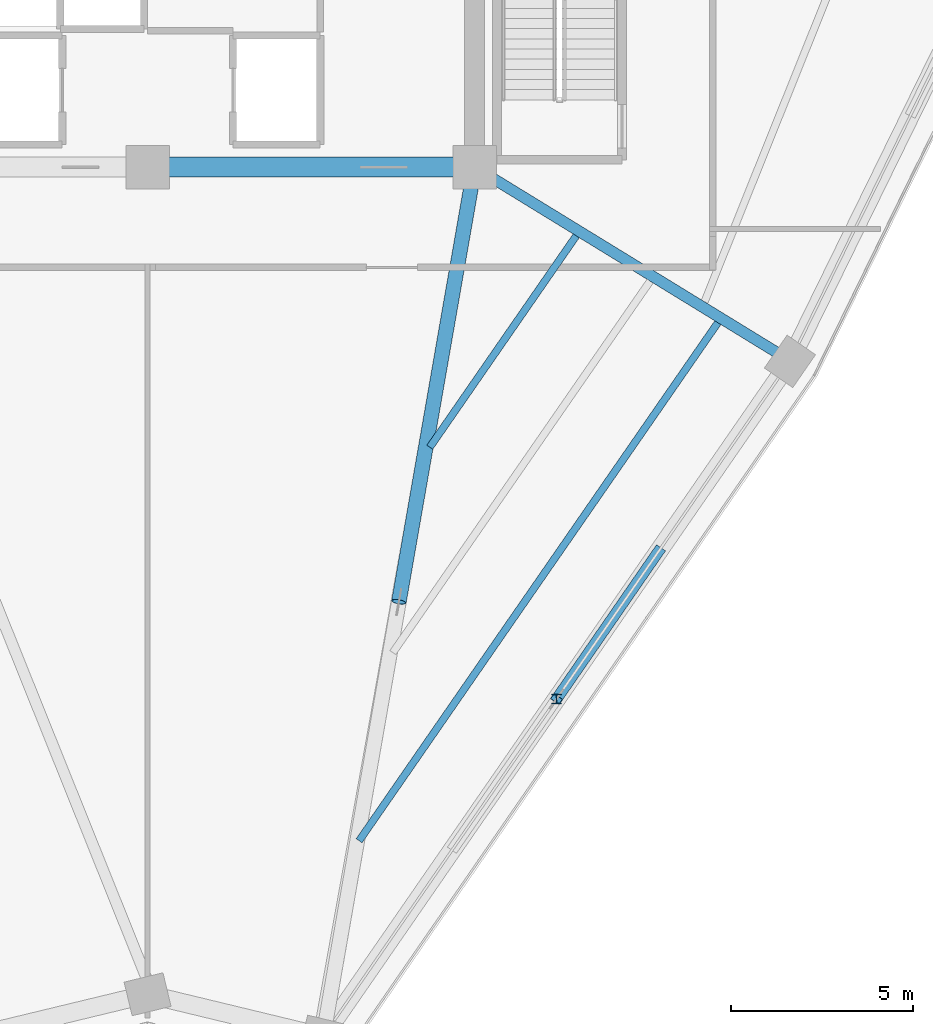
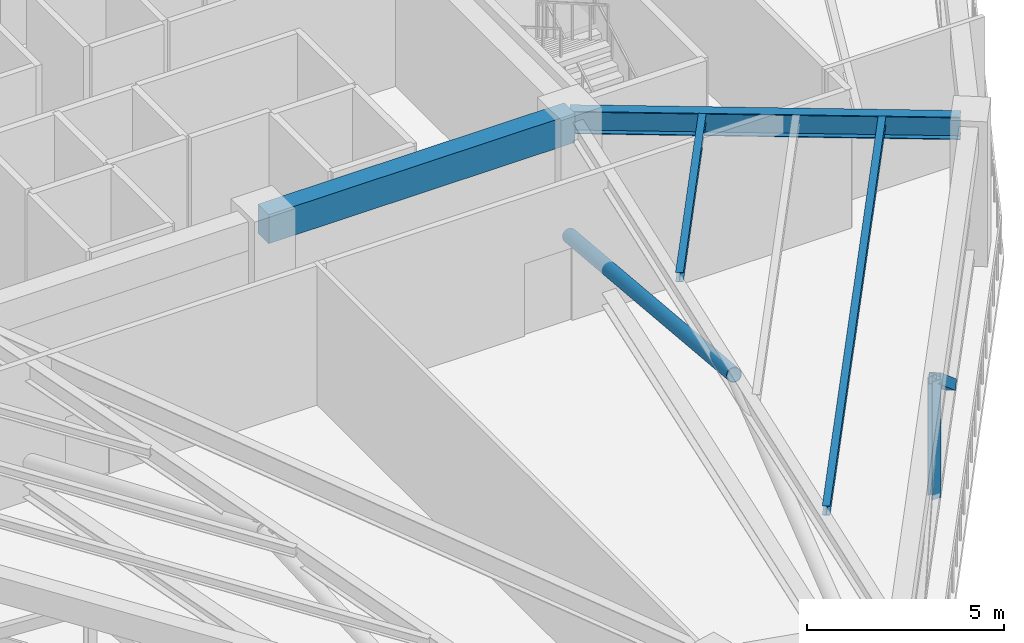
# One storey, part 4 of 22: 4 beams, 3 members.
"""IFC4 building model written with IfcOpenShell, lengths in metres."""

from ifc_helpers import new_model, si_unit, direction, frame, origin, origin_2d, place, context, subcontext, project, spatial, rectangle, hollow_rectangle, hollow_circle, i_section, extrude, source, transform, mapped, material, material_profile, profile_set, type_object, element, save


model = new_model("IFC4")

# Units and contexts
model_context = context("Model", 3, precision=1e-05, world=origin(), true_north=direction((0.0, 1.0)))
body_context = subcontext(model_context, "Body", "Model", "MODEL_VIEW")
ifc_project = project(units=[si_unit("LENGTHUNIT", "METRE"), si_unit("AREAUNIT", "SQUARE_METRE"), si_unit("VOLUMEUNIT", "CUBIC_METRE"), si_unit("PLANEANGLEUNIT", "RADIAN"), si_unit("MASSUNIT", "GRAM", prefix="KILO")], contexts=[model_context])

# Site, building, storey
site_placement = place(None, origin())
site = spatial("IfcSite", under=ifc_project, at=site_placement, CompositionType="ELEMENT")
building_placement = place(site_placement, origin())
building = spatial("IfcBuilding", under=site, at=building_placement, Name="Liaohun Quay Tower", CompositionType="ELEMENT")
storey_placement = place(building_placement, frame((0.0, 0.0, 324.0)))
storey = spatial("IfcBuildingStorey", under=building, at=storey_placement, Name="L84", CompositionType="ELEMENT", Elevation=324.0)

# Member
ifc_material_1 = material(Name="Steel Q355D", Category="steel")
ifc_material_profile_1 = material_profile(ifc_material_1, i_section(OverallWidth=0.25, OverallDepth=0.25, WebThickness=0.009033203125, FlangeThickness=0.013916015625, at=origin_2d()), Name="HW250x250x9x14")
ifc_profile_set_1 = profile_set([ifc_material_profile_1], Name="Steel Q355D")
member_type_1 = type_object("IfcMemberType", Name="MEM-BLT-PST", PredefinedType="POST", material=ifc_profile_set_1)
shared_shape_1 = source(origin(), body_context, "Body", "SweptSolid", [
    extrude(i_section(OverallWidth=0.25, OverallDepth=0.25, WebThickness=0.009033203125, FlangeThickness=0.013916015625, at=origin_2d()), origin(), (0.0, 0.0, 1.0), 3.669921875),
])
member_1_placement = place(storey_placement, frame((71.256103515625, 31.861083984375, 0.35009765625), z_axis=(0.0, 0.0, 1.0), x_axis=(1.0, 0.0, 0.0)))
element("IfcMember", 1, at=member_1_placement, inside=storey, type_object=member_type_1, Name="L84 Belt Truss Vertical Post BP-1-06", PredefinedType="POST", context=body_context, shape_type="MappedRepresentation", body=[
    mapped(shared_shape_1, transform((0.0, 0.0, 0.0), x_axis=(1.0, 0.0, 0.0), y_axis=(0.0, 1.0, 0.0), z_axis=(0.0, 0.0, 1.0), scale=1.0)),
])

# Beams
ifc_material_2 = material(Name="Concrete C55", Category="concrete")
ifc_material_profile_2 = material_profile(ifc_material_2, rectangle(XDim=0.550048828125, YDim=0.89990234375, at=origin_2d()), Name="RC550x900")
ifc_profile_set_2 = profile_set([ifc_material_profile_2], Name="Concrete C55")
beam_type_1 = type_object("IfcBeamType", Name="BM-CPL-2", PredefinedType="LINTEL", material=ifc_profile_set_2)
shared_shape_2 = source(origin(), body_context, "Body", "SweptSolid", [
    extrude(rectangle(XDim=0.550048828125, YDim=0.89990234375, at=origin_2d()), origin(), (0.0, 0.0, 1.0), 9.0),
])
beam_1_placement = place(storey_placement, frame((60.0, 46.5, 3.8701171875), z_axis=(1.0, 0.0, 0.0), x_axis=(0.0, 1.0, 0.0)))
element("IfcBeam", 2, at=beam_1_placement, inside=storey, type_object=beam_type_1, Name="L84 Core Coupling/Ring Beam CC2-CC3", PredefinedType="LINTEL", context=body_context, shape_type="MappedRepresentation", body=[
    mapped(shared_shape_2, transform((0.0, 0.0, 0.0), x_axis=(1.0, 0.0, 0.0), y_axis=(0.0, 1.0, 0.0), z_axis=(0.0, 0.0, 1.0), scale=1.0)),
])
ifc_material_profile_3 = material_profile(ifc_material_1, i_section(OverallWidth=0.300048828125, OverallDepth=0.699951171875, WebThickness=0.012939453125, FlangeThickness=0.02392578125, at=origin_2d()), Name="HN700x300x13x24")
ifc_profile_set_3 = profile_set([ifc_material_profile_3], Name="Steel Q355D")
beam_type_2 = type_object("IfcBeamType", Name="BM-RAD-U1", PredefinedType="BEAM", material=ifc_profile_set_3)
shared_shape_3 = source(origin(), body_context, "Body", "SweptSolid", [
    extrude(i_section(OverallWidth=0.300048828125, OverallDepth=0.699951171875, WebThickness=0.012939453125, FlangeThickness=0.02392578125, at=origin_2d()), origin(), (0.0, 0.0, 1.0), 9.94384765625),
])
beam_2_placement = place(storey_placement, frame((69.0, 46.5, 3.969970703125), z_axis=(0.852494316391, -0.522736492433, 0.0), x_axis=(0.522736492433, 0.852494316391, 0.0)))
element("IfcBeam", 3, at=beam_2_placement, inside=storey, type_object=beam_type_2, Name="L84 Radial Primary Girder CC3-PC10", PredefinedType="BEAM", context=body_context, shape_type="MappedRepresentation", body=[
    mapped(shared_shape_3, transform((0.0, 0.0, 0.0), x_axis=(1.0, 0.0, 0.0), y_axis=(0.0, 1.0, 0.0), z_axis=(0.0, 0.0, 1.0), scale=1.0)),
])
ifc_material_profile_4 = material_profile(ifc_material_1, i_section(OverallWidth=0.199951171875, OverallDepth=0.2939453125, WebThickness=0.008056640625, FlangeThickness=0.011962890625, at=origin_2d()), Name="HM294x200x8x12")
ifc_profile_set_4 = profile_set([ifc_material_profile_4], Name="Steel Q355D")
beam_type_3 = type_object("IfcBeamType", Name="BM-SEC-J4", PredefinedType="JOIST", material=ifc_profile_set_4)
shared_shape_4 = source(origin(), body_context, "Body", "SweptSolid", [
    extrude(i_section(OverallWidth=0.199951171875, OverallDepth=0.2939453125, WebThickness=0.008056640625, FlangeThickness=0.011962890625, at=origin_2d()), origin(), (0.0, 0.0, 1.0), 7.076904296875),
])
beam_3_placement = place(storey_placement, frame((71.797119140625, 44.60888671875, 4.173095703125), z_axis=(-0.569333754087, -0.822106487298, 0.0), x_axis=(0.822106487298, -0.569333754087, 0.0)))
element("IfcBeam", 4, at=beam_3_placement, inside=storey, type_object=beam_type_3, Name="L84 Wing Secondary Floor Joist SJ-12", PredefinedType="JOIST", context=body_context, shape_type="MappedRepresentation", body=[
    mapped(shared_shape_4, transform((0.0, 0.0, 0.0), x_axis=(1.0, 0.0, 0.0), y_axis=(0.0, 1.0, 0.0), z_axis=(0.0, 0.0, 1.0), scale=1.0)),
])
shared_shape_5 = source(origin(), body_context, "Body", "SweptSolid", [
    extrude(i_section(OverallWidth=0.199951171875, OverallDepth=0.2939453125, WebThickness=0.008056640625, FlangeThickness=0.011962890625, at=origin_2d()), origin(), (0.0, 0.0, 1.0), 17.343994140625),
])
beam_4_placement = place(storey_placement, frame((75.696044921875, 42.218017578125, 4.173095703125), z_axis=(-0.56930293525, -0.822127829425, 0.0), x_axis=(0.822127829425, -0.56930293525, 0.0)))
element("IfcBeam", 5, at=beam_4_placement, inside=storey, type_object=beam_type_3, Name="L84 Wing Secondary Floor Joist SJ-14", PredefinedType="JOIST", context=body_context, shape_type="MappedRepresentation", body=[
    mapped(shared_shape_5, transform((0.0, 0.0, 0.0), x_axis=(1.0, 0.0, 0.0), y_axis=(0.0, 1.0, 0.0), z_axis=(0.0, 0.0, 1.0), scale=1.0)),
])

# Members
ifc_material_3 = material(Name="Steel Q420D", Category="steel")
ifc_material_profile_5 = material_profile(ifc_material_3, hollow_circle(Radius=0.202880859375, WallThickness=0.01611328125, at=origin_2d()), Name="CHS406x16")
ifc_profile_set_5 = profile_set([ifc_material_profile_5], Name="Steel Q420D")
member_type_2 = type_object("IfcMemberType", Name="MEM-OUT-DG2", PredefinedType="BRACE", material=ifc_profile_set_5)
shared_shape_6 = source(origin(), body_context, "Body", "SweptSolid", [
    extrude(hollow_circle(Radius=0.202880859375, WallThickness=0.01611328125, at=origin_2d()), origin(), (0.0, 0.0, 1.0), 12.6875),
])
member_2_placement = place(storey_placement, frame((69.0, 46.5, 0.35009765625), z_axis=(-0.164253911123, -0.943055287048, 0.289253138707), x_axis=(0.985168643144, -0.171588882407, 0.0)))
element("IfcMember", 6, at=member_2_placement, inside=storey, type_object=member_type_2, Name="L84 Outrigger Diagonal OD-06A", PredefinedType="BRACE", context=body_context, shape_type="MappedRepresentation", body=[
    mapped(shared_shape_6, transform((0.0, 0.0, 0.0), x_axis=(1.0, 0.0, 0.0), y_axis=(0.0, 1.0, 0.0), z_axis=(0.0, 0.0, 1.0), scale=1.0)),
])
ifc_material_profile_6 = material_profile(ifc_material_1, hollow_rectangle(XDim=0.300048828125, YDim=0.300048828125, WallThickness=0.013916015625, at=origin_2d()), Name="SHS300x300x14")
ifc_profile_set_6 = profile_set([ifc_material_profile_6], Name="Steel Q355D")
member_type_3 = type_object("IfcMemberType", Name="MEM-BLT-DG3", PredefinedType="BRACE", material=ifc_profile_set_6)
shared_shape_7 = source(origin(), body_context, "Body", "SweptSolid", [
    extrude(hollow_rectangle(XDim=0.300048828125, YDim=0.300048828125, WallThickness=0.013916015625, at=origin_2d()), origin(), (0.0, 0.0, 1.0), 6.178466796875),
])
member_3_placement = place(storey_placement, frame((74.08203125, 35.949951171875, 0.35009765625), z_axis=(-0.457385866556, -0.661796846054, 0.593989144369), x_axis=(0.822646379346, -0.56855337001, 0.0)))
element("IfcMember", 7, at=member_3_placement, inside=storey, type_object=member_type_3, Name="L84 Belt Truss Diagonal BD-06A", PredefinedType="BRACE", context=body_context, shape_type="MappedRepresentation", body=[
    mapped(shared_shape_7, transform((0.0, 0.0, 0.0), x_axis=(1.0, 0.0, 0.0), y_axis=(0.0, 1.0, 0.0), z_axis=(0.0, 0.0, 1.0), scale=1.0)),
])

save(model, "model.ifc")
